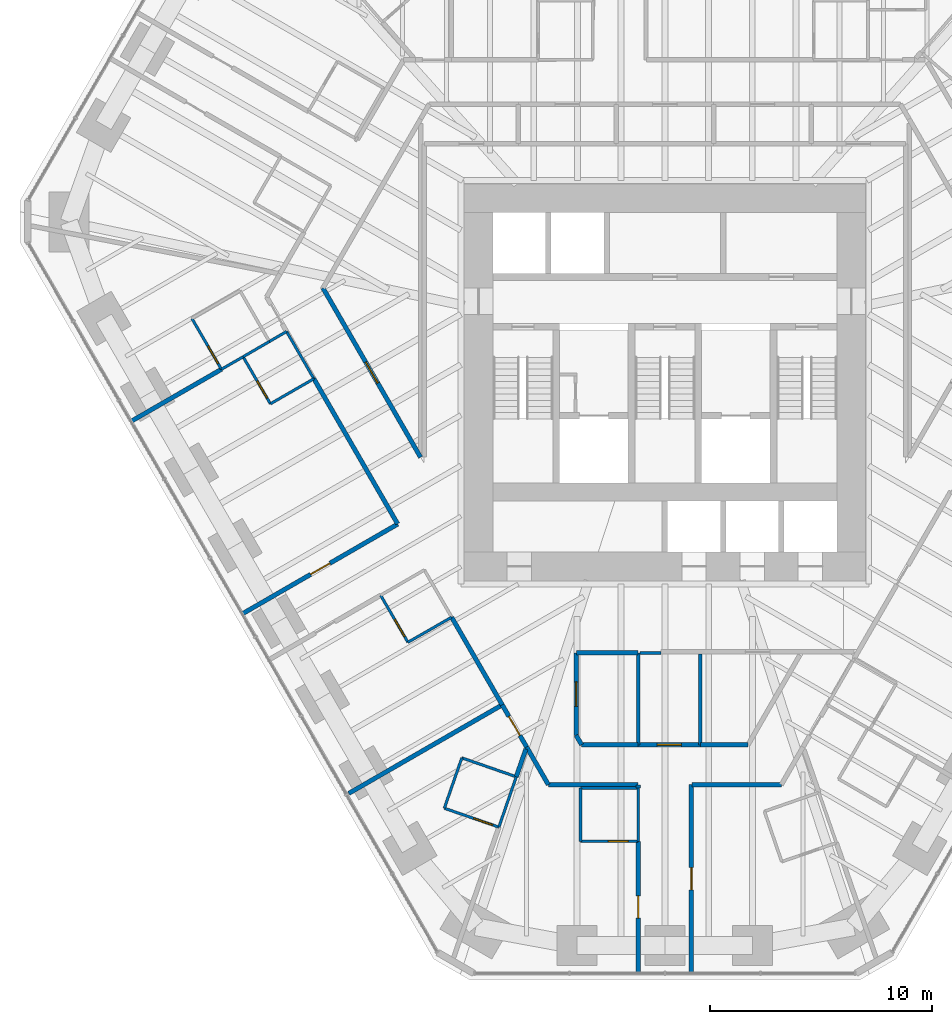
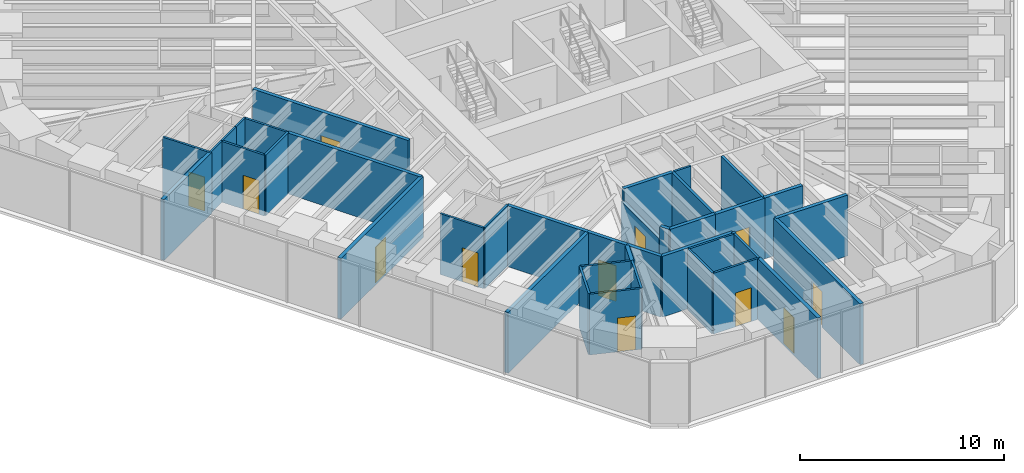
# One storey, part 11 of 17: 40 walls, 12 doors, 12 openings.
"""IFC4 building model written with IfcOpenShell, lengths in metres."""

from ifc_helpers import new_model, si_unit, direction, frame, frame_2d, origin, place, context, subcontext, project, spatial, rectangle, extrude, material, layer, layer_set, type_object, element, fill, save


model = new_model("IFC4")

# Units and contexts
model_context = context("Model", 3, precision=1e-05, world=origin(), true_north=direction((0.0, 1.0)))
body_context = subcontext(model_context, "Body", "Model", "MODEL_VIEW")
ifc_project = project(units=[si_unit("LENGTHUNIT", "METRE"), si_unit("AREAUNIT", "SQUARE_METRE"), si_unit("VOLUMEUNIT", "CUBIC_METRE"), si_unit("PLANEANGLEUNIT", "RADIAN"), si_unit("MASSUNIT", "GRAM", prefix="KILO")], contexts=[model_context])

# Site, building, storey
site_placement = place(None, origin())
site = spatial("IfcSite", under=ifc_project, at=site_placement, CompositionType="ELEMENT")
building_placement = place(site_placement, origin())
building = spatial("IfcBuilding", under=site, at=building_placement, Name="Sandreach Pilgrim Tower", CompositionType="ELEMENT")
storey_placement = place(building_placement, frame((0.0, 0.0, 108.199951171875)))
storey = spatial("IfcBuildingStorey", under=building, at=storey_placement, Name="L26", CompositionType="ELEMENT", Elevation=108.199951171875)

# Walls
ifc_material_1 = material(Name="Gypsum board on steel studs", Category="steel")
ifc_layer_1 = layer(ifc_material_1, 0.14990234375)
ifc_layer_set_1 = layer_set([ifc_layer_1], Name="Back of house wall 150")
wall_type_1 = type_object("IfcWallType", Name="Back of house wall 150", PredefinedType="PARTITIONING", material=ifc_layer_set_1)
wall_1_placement = place(storey_placement, frame((-1.199951171875, -13.75, 0.0), z_axis=(0.0, 0.0, 1.0), x_axis=(0.0, -1.0, 0.0)))
element("IfcWall", 1, at=wall_1_placement, inside=storey, type_object=wall_type_1, Name="Back of house wall L26-082", PredefinedType="PARTITIONING", context=body_context, shape_type="SweptSolid", body=[
    extrude(rectangle(XDim=4.139892578125, YDim=0.14990234375, at=frame_2d((2.06982421875, 0.0))), origin(), (0.0, 0.0, 1.0), 3.64013671875),
])
wall_2_placement = place(storey_placement, frame((1.60009765625, -13.800048828125, 0.0), z_axis=(0.0, 0.0, 1.0), x_axis=(0.0, -1.0, 0.0)))
element("IfcWall", 2, at=wall_2_placement, inside=storey, type_object=wall_type_1, Name="Back of house wall L26-088", PredefinedType="PARTITIONING", context=body_context, shape_type="SweptSolid", body=[
    extrude(rectangle(XDim=4.08984375, YDim=0.14990234375, at=frame_2d((2.044921875, 0.0))), origin(), (0.0, 0.0, 1.0), 3.64013671875),
])

# Wall, opening, door
ifc_material_2 = material(Name="Moisture-resistant gypsum board on steel studs", Category="steel")
ifc_layer_2 = layer(ifc_material_2, 0.1201171875)
ifc_layer_set_2 = layer_set([ifc_layer_2], Name="Bathroom partition 120")
wall_type_2 = type_object("IfcWallType", Name="Bathroom partition 120", PredefinedType="PARTITIONING", material=ifc_layer_set_2)
wall_3_placement = place(storey_placement, frame((-21.320068359375, 1.330078125, 0.0), z_axis=(0.0, 0.0, 1.0), x_axis=(0.502242265546, -0.864726954997, 0.0)))
wall_3 = element("IfcWall", 3, at=wall_3_placement, inside=storey, type_object=wall_type_2, Name="Bathroom partition L26-005", PredefinedType="PARTITIONING", context=body_context, shape_type="SweptSolid", body=[
    extrude(rectangle(XDim=2.648193359375, YDim=0.1201171875, at=frame_2d((1.32421875, 0.0))), origin(), (0.0, 0.0, 1.0), 3.64013671875),
])
opening_1_placement = place(wall_3_placement, frame((1.4482421875, 0.0, 0.0)))
opening_1 = element("IfcOpeningElement", 4, at=opening_1_placement, cuts=wall_3, Name="Opening D09-15B", PredefinedType="OPENING", context=body_context, shape_type="SweptSolid", body=[
    extrude(rectangle(XDim=0.89990234375, YDim=2.030029296875, at=frame_2d((0.449951171875, 1.01513671875))), frame((0.0, 0.06005859375, 0.0), z_axis=(0.0, -1.0, 0.0), x_axis=(1.0, 0.0, 0.0)), (0.0, 0.0, 1.0), 0.1201171875),
])
ifc_material_3 = material(Name="Timber door, steel frame", Category="steel")
door_type_1 = type_object("IfcDoorType", Name="Bathroom door", OperationType="SINGLE_SWING_LEFT", PredefinedType="DOOR", material=ifc_material_3)
door_1_placement = place(opening_1_placement, origin())
door_1 = element("IfcDoor", 5, at=door_1_placement, inside=storey, type_object=door_type_1, Name="Door 2615B", OperationType="SINGLE_SWING_RIGHT", OverallHeight=2.030029296875, OverallWidth=0.89990234375, PredefinedType="DOOR", context=body_context, shape_type="SweptSolid", body=[
    extrude(rectangle(XDim=0.89990234375, YDim=2.030029296875, at=frame_2d((0.449951171875, 1.01513671875))), frame((0.0, 0.02490234375, 0.0), z_axis=(0.0, -1.0, 0.0), x_axis=(1.0, 0.0, 0.0)), (0.0, 0.0, 1.0), 0.050048828125),
])
fill(opening_1, door_1)

# Walls
wall_4_placement = place(storey_placement, frame((-19.988037109375, -0.963623046875, 0.0), z_axis=(0.0, 0.0, 1.0), x_axis=(0.866387145727, 0.49937292049, 0.0)))
element("IfcWall", 6, at=wall_4_placement, inside=storey, type_object=wall_type_2, Name="Bathroom partition L26-006", PredefinedType="PARTITIONING", context=body_context, shape_type="SweptSolid", body=[
    extrude(rectangle(XDim=1.12890625, YDim=0.1201171875, at=frame_2d((0.564453125, 0.0))), origin(), (0.0, 0.0, 1.0), 3.64013671875),
])
wall_5_placement = place(storey_placement, frame((-19.010009765625, -0.39990234375, 0.0), z_axis=(0.0, 0.0, 1.0), x_axis=(0.864425960582, 0.502760140297, 0.0)))
element("IfcWall", 7, at=wall_5_placement, inside=storey, type_object=wall_type_2, Name="Bathroom partition L26-010", PredefinedType="PARTITIONING", context=body_context, shape_type="SweptSolid", body=[
    extrude(rectangle(XDim=1.366943359375, YDim=0.1201171875, at=frame_2d((0.68359375, 0.0))), origin(), (0.0, 0.0, 1.0), 3.64013671875),
])

# Wall, opening, door
wall_6_placement = place(storey_placement, frame((-19.010009765625, -0.39990234375, 0.0), z_axis=(0.0, 0.0, 1.0), x_axis=(0.501813488763, -0.864975850817, 0.0)))
wall_6 = element("IfcWall", 8, at=wall_6_placement, inside=storey, type_object=wall_type_2, Name="Bathroom partition L26-011", PredefinedType="PARTITIONING", context=body_context, shape_type="SweptSolid", body=[
    extrude(rectangle(XDim=2.451171875, YDim=0.1201171875, at=frame_2d((1.2255859375, 0.0))), origin(), (0.0, 0.0, 1.0), 3.64013671875),
])
opening_2_placement = place(wall_6_placement, frame((1.2509765625, 0.0, 0.0)))
opening_2 = element("IfcOpeningElement", 9, at=opening_2_placement, cuts=wall_6, Name="Opening D09-14B", PredefinedType="OPENING", context=body_context, shape_type="SweptSolid", body=[
    extrude(rectangle(XDim=0.89990234375, YDim=2.030029296875, at=frame_2d((0.449951171875, 1.01513671875))), frame((0.0, 0.06005859375, 0.0), z_axis=(0.0, -1.0, 0.0), x_axis=(1.0, 0.0, 0.0)), (0.0, 0.0, 1.0), 0.1201171875),
])
door_2_placement = place(opening_2_placement, origin())
door_2 = element("IfcDoor", 10, at=door_2_placement, inside=storey, type_object=door_type_1, Name="Door 2614B", OperationType="SINGLE_SWING_RIGHT", OverallHeight=2.030029296875, OverallWidth=0.89990234375, PredefinedType="DOOR", context=body_context, shape_type="SweptSolid", body=[
    extrude(rectangle(XDim=0.89990234375, YDim=2.030029296875, at=frame_2d((0.449951171875, 1.01513671875))), frame((0.0, 0.02490234375, 0.0), z_axis=(0.0, -1.0, 0.0), x_axis=(1.0, 0.0, 0.0)), (0.0, 0.0, 1.0), 0.050048828125),
])
fill(opening_2, door_2)

# Walls
wall_7_placement = place(storey_placement, frame((-17.828369140625, 0.287353515625, 0.0), z_axis=(0.0, 0.0, 1.0), x_axis=(0.864446899112, 0.502724137689, 0.0)))
element("IfcWall", 11, at=wall_7_placement, inside=storey, type_object=wall_type_2, Name="Bathroom partition L26-016", PredefinedType="PARTITIONING", context=body_context, shape_type="SweptSolid", body=[
    extrude(rectangle(XDim=0.900390625, YDim=0.1201171875, at=frame_2d((0.4501953125, 0.0))), origin(), (0.0, 0.0, 1.0), 3.64013671875),
])
wall_8_placement = place(storey_placement, frame((-17.780029296875, -2.52001953125, 0.0), z_axis=(0.0, 0.0, 1.0), x_axis=(0.866304131286, 0.49951691875, 0.0)))
element("IfcWall", 12, at=wall_8_placement, inside=storey, type_object=wall_type_2, Name="Bathroom partition L26-018", PredefinedType="PARTITIONING", context=body_context, shape_type="SweptSolid", body=[
    extrude(rectangle(XDim=2.262451171875, YDim=0.1201171875, at=frame_2d((1.13134765625, 0.0))), origin(), (0.0, 0.0, 1.0), 3.64013671875),
])
wall_9_placement = place(storey_placement, frame((-17.05029296875, 0.739990234375, 0.0), z_axis=(0.0, 0.0, 1.0), x_axis=(0.500163488538, -0.865930993055, 0.0)))
element("IfcWall", 13, at=wall_9_placement, inside=storey, type_object=wall_type_2, Name="Bathroom partition L26-022", PredefinedType="PARTITIONING", context=body_context, shape_type="SweptSolid", body=[
    extrude(rectangle(XDim=2.459716796875, YDim=0.1201171875, at=frame_2d((1.22998046875, 0.0))), origin(), (0.0, 0.0, 1.0), 3.64013671875),
])

# Wall, opening, door
wall_10_placement = place(storey_placement, frame((-12.81005859375, -11.14990234375, 0.0), z_axis=(0.0, 0.0, 1.0), x_axis=(0.501813488763, -0.864975850817, 0.0)))
wall_10 = element("IfcWall", 14, at=wall_10_placement, inside=storey, type_object=wall_type_2, Name="Bathroom partition L26-032", PredefinedType="PARTITIONING", context=body_context, shape_type="SweptSolid", body=[
    extrude(rectangle(XDim=2.451171875, YDim=0.1201171875, at=frame_2d((1.2255859375, 0.0))), origin(), (0.0, 0.0, 1.0), 3.64013671875),
])
opening_3_placement = place(wall_10_placement, frame((1.2509765625, 0.0, 0.0)))
opening_3 = element("IfcOpeningElement", 15, at=opening_3_placement, cuts=wall_10, Name="Opening D09-13B", PredefinedType="OPENING", context=body_context, shape_type="SweptSolid", body=[
    extrude(rectangle(XDim=0.89990234375, YDim=2.030029296875, at=frame_2d((0.449951171875, 1.01513671875))), frame((0.0, 0.06005859375, 0.0), z_axis=(0.0, -1.0, 0.0), x_axis=(1.0, 0.0, 0.0)), (0.0, 0.0, 1.0), 0.1201171875),
])
door_3_placement = place(opening_3_placement, origin())
door_3 = element("IfcDoor", 16, at=door_3_placement, inside=storey, type_object=door_type_1, Name="Door 2613B", OperationType="SINGLE_SWING_RIGHT", OverallHeight=2.030029296875, OverallWidth=0.89990234375, PredefinedType="DOOR", context=body_context, shape_type="SweptSolid", body=[
    extrude(rectangle(XDim=0.89990234375, YDim=2.030029296875, at=frame_2d((0.449951171875, 1.01513671875))), frame((0.0, 0.02490234375, 0.0), z_axis=(0.0, -1.0, 0.0), x_axis=(1.0, 0.0, 0.0)), (0.0, 0.0, 1.0), 0.050048828125),
])
fill(opening_3, door_3)

# Wall
wall_11_placement = place(storey_placement, frame((-11.580078125, -13.27001953125, 0.0), z_axis=(0.0, 0.0, 1.0), x_axis=(0.867428373024, 0.497562074192, 0.0)))
element("IfcWall", 17, at=wall_11_placement, inside=storey, type_object=wall_type_2, Name="Bathroom partition L26-039", PredefinedType="PARTITIONING", context=body_context, shape_type="SweptSolid", body=[
    extrude(rectangle(XDim=2.271240234375, YDim=0.1201171875, at=frame_2d((1.1357421875, 0.0))), origin(), (0.0, 0.0, 1.0), 3.64013671875),
])

# Wall, opening, door
wall_12_placement = place(storey_placement, frame((-9.93994140625, -20.75, 0.0), z_axis=(0.0, 0.0, 1.0), x_axis=(0.94515546045, -0.326620813149, 0.0)))
wall_12 = element("IfcWall", 18, at=wall_12_placement, inside=storey, type_object=wall_type_2, Name="Bathroom partition L26-048", PredefinedType="PARTITIONING", context=body_context, shape_type="SweptSolid", body=[
    extrude(rectangle(XDim=2.602783203125, YDim=0.1201171875, at=frame_2d((1.30126953125, 0.0))), origin(), (0.0, 0.0, 1.0), 3.64013671875),
])
opening_4_placement = place(wall_12_placement, frame((1.402587890625, 0.0, 0.0)))
opening_4 = element("IfcOpeningElement", 19, at=opening_4_placement, cuts=wall_12, Name="Opening D09-12B", PredefinedType="OPENING", context=body_context, shape_type="SweptSolid", body=[
    extrude(rectangle(XDim=0.89990234375, YDim=2.030029296875, at=frame_2d((0.449951171875, 1.01513671875))), frame((0.0, 0.06005859375, 0.0), z_axis=(0.0, -1.0, 0.0), x_axis=(1.0, 0.0, 0.0)), (0.0, 0.0, 1.0), 0.1201171875),
])
door_4_placement = place(opening_4_placement, origin())
door_4 = element("IfcDoor", 20, at=door_4_placement, inside=storey, type_object=door_type_1, Name="Door 2612B", OperationType="SINGLE_SWING_RIGHT", OverallHeight=2.030029296875, OverallWidth=0.89990234375, PredefinedType="DOOR", context=body_context, shape_type="SweptSolid", body=[
    extrude(rectangle(XDim=0.89990234375, YDim=2.030029296875, at=frame_2d((0.449951171875, 1.01513671875))), frame((0.0, 0.02490234375, 0.0), z_axis=(0.0, -1.0, 0.0), x_axis=(1.0, 0.0, 0.0)), (0.0, 0.0, 1.0), 0.050048828125),
])
fill(opening_4, door_4)

# Walls
wall_13_placement = place(storey_placement, frame((-9.14990234375, -18.47998046875, 0.0), z_axis=(0.0, 0.0, 1.0), x_axis=(-0.328693963496, -0.944436487203, 0.0)))
element("IfcWall", 21, at=wall_13_placement, inside=storey, type_object=wall_type_2, Name="Bathroom partition L26-053", PredefinedType="PARTITIONING", context=body_context, shape_type="SweptSolid", body=[
    extrude(rectangle(XDim=2.403564453125, YDim=0.1201171875, at=frame_2d((1.20166015625, 0.0))), origin(), (0.0, 0.0, 1.0), 3.64013671875),
])
wall_14_placement = place(storey_placement, frame((-7.47998046875, -21.60009765625, 0.0), z_axis=(0.0, 0.0, 1.0), x_axis=(0.326492166492, 0.945199907543, 0.0)))
element("IfcWall", 22, at=wall_14_placement, inside=storey, type_object=wall_type_2, Name="Bathroom partition L26-054", PredefinedType="PARTITIONING", context=body_context, shape_type="SweptSolid", body=[
    extrude(rectangle(XDim=2.400390625, YDim=0.1201171875, at=frame_2d((1.2001953125, 0.0))), origin(), (0.0, 0.0, 1.0), 3.64013671875),
])
wall_15_placement = place(storey_placement, frame((-6.699951171875, -19.330078125, 0.0), z_axis=(0.0, 0.0, 1.0), x_axis=(-0.944753042377, 0.327782990589, 0.0)))
element("IfcWall", 23, at=wall_15_placement, inside=storey, type_object=wall_type_2, Name="Bathroom partition L26-056", PredefinedType="PARTITIONING", context=body_context, shape_type="SweptSolid", body=[
    extrude(rectangle(XDim=2.593505859375, YDim=0.1201171875, at=frame_2d((1.296875, 0.0))), origin(), (0.0, 0.0, 1.0), 3.64013671875),
])

# Wall, opening, door
wall_16_placement = place(storey_placement, frame((-3.800048828125, -22.239990234375, 0.0), z_axis=(0.0, 0.0, 1.0), x_axis=(1.0, 0.0, 0.0)))
wall_16 = element("IfcWall", 24, at=wall_16_placement, inside=storey, type_object=wall_type_2, Name="Bathroom partition L26-067", PredefinedType="PARTITIONING", context=body_context, shape_type="SweptSolid", body=[
    extrude(rectangle(XDim=2.60009765625, YDim=0.1201171875, at=frame_2d((1.300048828125, 0.0))), origin(), (0.0, 0.0, 1.0), 3.64013671875),
])
opening_5_placement = place(wall_16_placement, frame((1.25, 0.0, 0.0)))
opening_5 = element("IfcOpeningElement", 25, at=opening_5_placement, cuts=wall_16, Name="Opening D09-11B", PredefinedType="OPENING", context=body_context, shape_type="SweptSolid", body=[
    extrude(rectangle(XDim=0.89990234375, YDim=2.030029296875, at=frame_2d((0.449951171875, 1.01513671875))), frame((0.0, 0.06005859375, 0.0), z_axis=(0.0, -1.0, 0.0), x_axis=(1.0, 0.0, 0.0)), (0.0, 0.0, 1.0), 0.1201171875),
])
door_5_placement = place(opening_5_placement, origin())
door_5 = element("IfcDoor", 26, at=door_5_placement, inside=storey, type_object=door_type_1, Name="Door 2611B", OperationType="SINGLE_SWING_RIGHT", OverallHeight=2.030029296875, OverallWidth=0.89990234375, PredefinedType="DOOR", context=body_context, shape_type="SweptSolid", body=[
    extrude(rectangle(XDim=0.89990234375, YDim=2.030029296875, at=frame_2d((0.449951171875, 1.01513671875))), frame((0.0, 0.02490234375, 0.0), z_axis=(0.0, -1.0, 0.0), x_axis=(1.0, 0.0, 0.0)), (0.0, 0.0, 1.0), 0.050048828125),
])
fill(opening_5, door_5)

# Walls
wall_17_placement = place(storey_placement, frame((-3.800048828125, -19.840087890625, 0.0), z_axis=(0.0, 0.0, 1.0), x_axis=(0.0, -1.0, 0.0)))
element("IfcWall", 27, at=wall_17_placement, inside=storey, type_object=wall_type_2, Name="Bathroom partition L26-068", PredefinedType="PARTITIONING", context=body_context, shape_type="SweptSolid", body=[
    extrude(rectangle(XDim=2.39990234375, YDim=0.1201171875, at=frame_2d((1.199951171875, 0.0))), origin(), (0.0, 0.0, 1.0), 3.64013671875),
])
wall_18_placement = place(storey_placement, frame((-1.199951171875, -19.840087890625, 0.0), z_axis=(0.0, 0.0, 1.0), x_axis=(-1.0, 0.0, 0.0)))
element("IfcWall", 28, at=wall_18_placement, inside=storey, type_object=wall_type_2, Name="Bathroom partition L26-078", PredefinedType="PARTITIONING", context=body_context, shape_type="SweptSolid", body=[
    extrude(rectangle(XDim=2.60009765625, YDim=0.1201171875, at=frame_2d((1.300048828125, 0.0))), origin(), (0.0, 0.0, 1.0), 3.64013671875),
])
wall_19_placement = place(storey_placement, frame((-1.199951171875, -19.840087890625, 0.0), z_axis=(0.0, 0.0, 1.0), x_axis=(0.0, -1.0, 0.0)))
element("IfcWall", 29, at=wall_19_placement, inside=storey, type_object=wall_type_2, Name="Bathroom partition L26-079", PredefinedType="PARTITIONING", context=body_context, shape_type="SweptSolid", body=[
    extrude(rectangle(XDim=2.39990234375, YDim=0.1201171875, at=frame_2d((1.199951171875, 0.0))), origin(), (0.0, 0.0, 1.0), 3.64013671875),
])
wall_20_placement = place(storey_placement, frame((-1.125, -13.75, 0.0), z_axis=(0.0, 0.0, 1.0), x_axis=(1.0, 0.0, 0.0)))
element("IfcWall", 30, at=wall_20_placement, inside=storey, type_object=wall_type_2, Name="Bathroom partition L26-083", PredefinedType="PARTITIONING", context=body_context, shape_type="SweptSolid", body=[
    extrude(rectangle(XDim=0.955078125, YDim=0.1201171875, at=frame_2d((0.4775390625, 0.0))), origin(), (0.0, 0.0, 1.0), 3.64013671875),
])

# Wall, opening, door
ifc_material_4 = material(Name="Gypsum board on steel studs, two layers each side", Category="steel")
ifc_layer_3 = layer(ifc_material_4, 0.199951171875)
ifc_layer_set_3 = layer_set([ifc_layer_3], Name="Corridor wall 200")
wall_type_3 = type_object("IfcWallType", Name="Corridor wall 200", PredefinedType="PARTITIONING", material=ifc_layer_set_3)
wall_21_placement = place(storey_placement, frame((-19.02392578125, -11.97509765625, 0.0), z_axis=(0.0, 0.0, 1.0), x_axis=(0.865863907772, 0.500279615034, 0.0)))
wall_21 = element("IfcWall", 31, at=wall_21_placement, inside=storey, type_object=wall_type_3, Name="Corridor wall L26-009", PredefinedType="PARTITIONING", context=body_context, shape_type="SweptSolid", body=[
    extrude(rectangle(XDim=8.06591796875, YDim=0.199951171875, at=frame_2d((4.032958984375, 0.0))), origin(), (0.0, 0.0, 1.0), 3.64013671875),
])
opening_6_placement = place(wall_21_placement, frame((3.532958984375, 0.0, 0.0)))
opening_6 = element("IfcOpeningElement", 32, at=opening_6_placement, cuts=wall_21, Name="Opening D10-14", PredefinedType="OPENING", context=body_context, shape_type="SweptSolid", body=[
    extrude(rectangle(XDim=1.0, YDim=2.1298828125, at=frame_2d((0.5, 1.06494140625))), frame((0.0, 0.10009765625, 0.0), z_axis=(0.0, -1.0, 0.0), x_axis=(1.0, 0.0, 0.0)), (0.0, 0.0, 1.0), 0.199951171875),
])
ifc_material_5 = material(Name="Steel door and frame", Category="steel")
door_type_2 = type_object("IfcDoorType", Name="Guest room entry door", OperationType="SINGLE_SWING_LEFT", PredefinedType="DOOR", material=ifc_material_5)
door_6_placement = place(opening_6_placement, origin())
door_6 = element("IfcDoor", 33, at=door_6_placement, inside=storey, type_object=door_type_2, Name="Door 2614", OperationType="SINGLE_SWING_LEFT", OverallHeight=2.1298828125, OverallWidth=1.0, PredefinedType="DOOR", context=body_context, shape_type="SweptSolid", body=[
    extrude(rectangle(XDim=1.0, YDim=2.1298828125, at=frame_2d((0.5, 1.06494140625))), frame((0.0, 0.02490234375, 0.0), z_axis=(0.0, -1.0, 0.0), x_axis=(1.0, 0.0, 0.0)), (0.0, 0.0, 1.0), 0.050048828125),
])
fill(opening_6, door_6)

# Wall
wall_22_placement = place(storey_placement, frame((-15.820068359375, -1.389892578125, 0.0), z_axis=(0.0, 0.0, 1.0), x_axis=(0.499851259758, -0.866111261974, 0.0)))
element("IfcWall", 34, at=wall_22_placement, inside=storey, type_object=wall_type_3, Name="Corridor wall L26-025", PredefinedType="PARTITIONING", context=body_context, shape_type="SweptSolid", body=[
    extrude(rectangle(XDim=7.547607421875, YDim=0.199951171875, at=frame_2d((3.77392578125, 0.0))), origin(), (0.0, 0.0, 1.0), 3.64013671875),
])

# Wall, opening, door
wall_23_placement = place(storey_placement, frame((-11.010009765625, -4.929931640625, 0.0), z_axis=(0.0, 0.0, 1.0), x_axis=(-0.499556067326, 0.866281556769, 0.0)))
wall_23 = element("IfcWall", 35, at=wall_23_placement, inside=storey, type_object=wall_type_3, Name="Corridor wall L26-041", PredefinedType="PARTITIONING", context=body_context, shape_type="SweptSolid", body=[
    extrude(rectangle(XDim=8.8076171875, YDim=0.199951171875, at=frame_2d((4.40380859375, 0.0))), origin(), (0.0, 0.0, 1.0), 3.64013671875),
])
opening_7_placement = place(wall_23_placement, frame((3.85400390625, 0.0, 0.0)))
opening_7 = element("IfcOpeningElement", 36, at=opening_7_placement, cuts=wall_23, Name="Opening D11H-M01", PredefinedType="OPENING", context=body_context, shape_type="SweptSolid", body=[
    extrude(rectangle(XDim=1.10009765625, YDim=2.199951171875, at=frame_2d((0.550048828125, 1.10009765625))), frame((0.0, 0.10009765625, 0.0), z_axis=(0.0, -1.0, 0.0), x_axis=(1.0, 0.0, 0.0)), (0.0, 0.0, 1.0), 0.199951171875),
])
ifc_material_6 = material(Name="Steel door and frame", Category="steel")
door_type_3 = type_object("IfcDoorType", Name="Back of house door", OperationType="SINGLE_SWING_LEFT", PredefinedType="DOOR", material=ifc_material_6)
door_7_placement = place(opening_7_placement, origin())
door_7 = element("IfcDoor", 37, at=door_7_placement, inside=storey, type_object=door_type_3, Name="Door 26M01", OperationType="SINGLE_SWING_LEFT", OverallHeight=2.199951171875, OverallWidth=1.10009765625, PredefinedType="DOOR", context=body_context, shape_type="SweptSolid", body=[
    extrude(rectangle(XDim=1.10009765625, YDim=2.199951171875, at=frame_2d((0.550048828125, 1.10009765625))), frame((0.0, 0.02490234375, 0.0), z_axis=(0.0, -1.0, 0.0), x_axis=(1.0, 0.0, 0.0)), (0.0, 0.0, 1.0), 0.050048828125),
])
fill(opening_7, door_7)

# Wall
wall_24_placement = place(storey_placement, frame((-9.610107421875, -12.139892578125, 0.0), z_axis=(0.0, 0.0, 1.0), x_axis=(0.499898533245, -0.866083977718, 0.0)))
element("IfcWall", 38, at=wall_24_placement, inside=storey, type_object=wall_type_3, Name="Corridor wall L26-051", PredefinedType="PARTITIONING", context=body_context, shape_type="SweptSolid", body=[
    extrude(rectangle(XDim=4.56103515625, YDim=0.199951171875, at=frame_2d((2.280517578125, 0.0))), origin(), (0.0, 0.0, 1.0), 3.64013671875),
])

# Wall, opening, door
wall_25_placement = place(storey_placement, frame((-7.3310546875, -16.090576171875, 0.0), z_axis=(0.0, 0.0, 1.0), x_axis=(0.501518373175, -0.865146994081, 0.0)))
wall_25 = element("IfcWall", 39, at=wall_25_placement, inside=storey, type_object=wall_type_3, Name="Corridor wall L26-055", PredefinedType="PARTITIONING", context=body_context, shape_type="SweptSolid", body=[
    extrude(rectangle(XDim=2.195556640625, YDim=0.199951171875, at=frame_2d((1.09765625, 0.0))), origin(), (0.0, 0.0, 1.0), 3.64013671875),
])
opening_8_placement = place(wall_25_placement, frame((0.59765625, 0.0, 0.0)))
opening_8 = element("IfcOpeningElement", 40, at=opening_8_placement, cuts=wall_25, Name="Opening D10-12", PredefinedType="OPENING", context=body_context, shape_type="SweptSolid", body=[
    extrude(rectangle(XDim=1.0, YDim=2.1298828125, at=frame_2d((0.5, 1.06494140625))), frame((0.0, 0.10009765625, 0.0), z_axis=(0.0, -1.0, 0.0), x_axis=(1.0, 0.0, 0.0)), (0.0, 0.0, 1.0), 0.199951171875),
])
door_8_placement = place(opening_8_placement, origin())
door_8 = element("IfcDoor", 41, at=door_8_placement, inside=storey, type_object=door_type_2, Name="Door 2612", OperationType="SINGLE_SWING_LEFT", OverallHeight=2.1298828125, OverallWidth=1.0, PredefinedType="DOOR", context=body_context, shape_type="SweptSolid", body=[
    extrude(rectangle(XDim=1.0, YDim=2.1298828125, at=frame_2d((0.5, 1.06494140625))), frame((0.0, 0.02490234375, 0.0), z_axis=(0.0, -1.0, 0.0), x_axis=(1.0, 0.0, 0.0)), (0.0, 0.0, 1.0), 0.050048828125),
])
fill(opening_8, door_8)

# Walls
wall_26_placement = place(storey_placement, frame((-6.22998046875, -17.989990234375, 0.0), z_axis=(0.0, 0.0, 1.0), x_axis=(0.499431599995, -0.866353321068, 0.0)))
element("IfcWall", 42, at=wall_26_placement, inside=storey, type_object=wall_type_3, Name="Corridor wall L26-061", PredefinedType="PARTITIONING", context=body_context, shape_type="SweptSolid", body=[
    extrude(rectangle(XDim=1.962158203125, YDim=0.199951171875, at=frame_2d((0.98095703125, 0.0))), origin(), (0.0, 0.0, 1.0), 3.64013671875),
])
wall_27_placement = place(storey_placement, frame((-5.25, -19.68994140625, 0.0), z_axis=(0.0, 0.0, 1.0), x_axis=(1.0, 0.0, 0.0)))
element("IfcWall", 43, at=wall_27_placement, inside=storey, type_object=wall_type_3, Name="Corridor wall L26-064", PredefinedType="PARTITIONING", context=body_context, shape_type="SweptSolid", body=[
    extrude(rectangle(XDim=4.050048828125, YDim=0.199951171875, at=frame_2d((2.02490234375, 0.0))), origin(), (0.0, 0.0, 1.0), 3.64013671875),
])

# Wall, opening, door
wall_28_placement = place(storey_placement, frame((-4.0, -17.4599609375, 0.0), z_axis=(0.0, 0.0, 1.0), x_axis=(0.0, 1.0, 0.0)))
wall_28 = element("IfcWall", 44, at=wall_28_placement, inside=storey, type_object=wall_type_3, Name="Corridor wall L26-065", PredefinedType="PARTITIONING", context=body_context, shape_type="SweptSolid", body=[
    extrude(rectangle(XDim=3.7099609375, YDim=0.199951171875, at=frame_2d((1.85498046875, 0.0))), origin(), (0.0, 0.0, 1.0), 2.8779296875),
])
opening_9_placement = place(wall_28_placement, frame((1.304931640625, 0.0, 0.0)))
opening_9 = element("IfcOpeningElement", 45, at=opening_9_placement, cuts=wall_28, Name="Opening D11H-S2", PredefinedType="OPENING", context=body_context, shape_type="SweptSolid", body=[
    extrude(rectangle(XDim=1.10009765625, YDim=2.199951171875, at=frame_2d((0.550048828125, 1.10009765625))), frame((0.0, 0.10009765625, 0.0), z_axis=(0.0, -1.0, 0.0), x_axis=(1.0, 0.0, 0.0)), (0.0, 0.0, 1.0), 0.199951171875),
])
door_9_placement = place(opening_9_placement, origin())
door_9 = element("IfcDoor", 46, at=door_9_placement, inside=storey, type_object=door_type_3, Name="Door 26S2", OperationType="SINGLE_SWING_LEFT", OverallHeight=2.199951171875, OverallWidth=1.10009765625, PredefinedType="DOOR", context=body_context, shape_type="SweptSolid", body=[
    extrude(rectangle(XDim=1.10009765625, YDim=2.199951171875, at=frame_2d((0.550048828125, 1.10009765625))), frame((0.0, 0.02490234375, 0.0), z_axis=(0.0, -1.0, 0.0), x_axis=(1.0, 0.0, 0.0)), (0.0, 0.0, 1.0), 0.050048828125),
])
fill(opening_9, door_9)

# Walls
wall_29_placement = place(storey_placement, frame((-3.989990234375, -13.75, 0.0), z_axis=(0.0, 0.0, 1.0), x_axis=(1.0, 0.0, 0.0)))
element("IfcWall", 47, at=wall_29_placement, inside=storey, type_object=wall_type_3, Name="Corridor wall L26-066", PredefinedType="PARTITIONING", context=body_context, shape_type="SweptSolid", body=[
    extrude(rectangle(XDim=2.7900390625, YDim=0.199951171875, at=frame_2d((1.39501953125, 0.0))), origin(), (0.0, 0.0, 1.0), 3.64013671875),
])
wall_30_placement = place(storey_placement, frame((-3.75, -17.889892578125, 0.0), z_axis=(0.0, 0.0, 1.0), x_axis=(-0.502680181512, 0.864472460588, 0.0)))
element("IfcWall", 48, at=wall_30_placement, inside=storey, type_object=wall_type_3, Name="Corridor wall L26-069", PredefinedType="PARTITIONING", context=body_context, shape_type="SweptSolid", body=[
    extrude(rectangle(XDim=0.497314453125, YDim=0.199951171875, at=frame_2d((0.24853515625, 0.0))), origin(), (0.0, 0.0, 1.0), 3.64013671875),
])

# Wall, opening, door
wall_31_placement = place(storey_placement, frame((-1.199951171875, -22.239990234375, 0.0), z_axis=(0.0, 0.0, 1.0), x_axis=(0.0, -1.0, 0.0)))
wall_31 = element("IfcWall", 49, at=wall_31_placement, inside=storey, type_object=wall_type_3, Name="Corridor wall L26-077", PredefinedType="PARTITIONING", context=body_context, shape_type="SweptSolid", body=[
    extrude(rectangle(XDim=5.919921875, YDim=0.199951171875, at=frame_2d((2.9599609375, 0.0))), origin(), (0.0, 0.0, 1.0), 3.64013671875),
])
opening_10_placement = place(wall_31_placement, frame((2.4599609375, 0.0, 0.0)))
opening_10 = element("IfcOpeningElement", 50, at=opening_10_placement, cuts=wall_31, Name="Opening D10-11", PredefinedType="OPENING", context=body_context, shape_type="SweptSolid", body=[
    extrude(rectangle(XDim=1.0, YDim=2.1298828125, at=frame_2d((0.5, 1.06494140625))), frame((0.0, 0.10009765625, 0.0), z_axis=(0.0, -1.0, 0.0), x_axis=(1.0, 0.0, 0.0)), (0.0, 0.0, 1.0), 0.199951171875),
])
door_10_placement = place(opening_10_placement, origin())
door_10 = element("IfcDoor", 51, at=door_10_placement, inside=storey, type_object=door_type_2, Name="Door 2611", OperationType="SINGLE_SWING_LEFT", OverallHeight=2.1298828125, OverallWidth=1.0, PredefinedType="DOOR", context=body_context, shape_type="SweptSolid", body=[
    extrude(rectangle(XDim=1.0, YDim=2.1298828125, at=frame_2d((0.5, 1.06494140625))), frame((0.0, 0.02490234375, 0.0), z_axis=(0.0, -1.0, 0.0), x_axis=(1.0, 0.0, 0.0)), (0.0, 0.0, 1.0), 0.050048828125),
])
fill(opening_10, door_10)

# Walls
wall_32_placement = place(storey_placement, frame((-1.199951171875, -19.699951171875, 0.0), z_axis=(0.0, 0.0, 1.0), x_axis=(0.0, -1.0, 0.0)))
element("IfcWall", 52, at=wall_32_placement, inside=storey, type_object=wall_type_3, Name="Corridor wall L26-080", PredefinedType="PARTITIONING", context=body_context, shape_type="SweptSolid", body=[
    extrude(rectangle(XDim=0.14013671875, YDim=0.199951171875, at=frame_2d((0.070068359375, 0.0))), origin(), (0.0, 0.0, 1.0), 3.64013671875),
])
wall_33_placement = place(storey_placement, frame((-1.199951171875, -17.889892578125, 0.0), z_axis=(0.0, 0.0, 1.0), x_axis=(-1.0, 0.0, 0.0)))
element("IfcWall", 53, at=wall_33_placement, inside=storey, type_object=wall_type_3, Name="Corridor wall L26-081", PredefinedType="PARTITIONING", context=body_context, shape_type="SweptSolid", body=[
    extrude(rectangle(XDim=2.550048828125, YDim=0.199951171875, at=frame_2d((1.27490234375, 0.0))), origin(), (0.0, 0.0, 1.0), 3.64013671875),
])

# Wall, opening, door
wall_34_placement = place(storey_placement, frame((1.199951171875, -28.159912109375, 0.0), z_axis=(0.0, 0.0, 1.0), x_axis=(0.0, 1.0, 0.0)))
wall_34 = element("IfcWall", 54, at=wall_34_placement, inside=storey, type_object=wall_type_3, Name="Corridor wall L26-085", PredefinedType="PARTITIONING", context=body_context, shape_type="SweptSolid", body=[
    extrude(rectangle(XDim=8.469970703125, YDim=0.199951171875, at=frame_2d((4.23486328125, 0.0))), origin(), (0.0, 0.0, 1.0), 3.64013671875),
])
opening_11_placement = place(wall_34_placement, frame((3.735107421875, 0.0, 0.0)))
opening_11 = element("IfcOpeningElement", 55, at=opening_11_placement, cuts=wall_34, Name="Opening D10-10", PredefinedType="OPENING", context=body_context, shape_type="SweptSolid", body=[
    extrude(rectangle(XDim=1.0, YDim=2.1298828125, at=frame_2d((0.5, 1.06494140625))), frame((0.0, 0.10009765625, 0.0), z_axis=(0.0, -1.0, 0.0), x_axis=(1.0, 0.0, 0.0)), (0.0, 0.0, 1.0), 0.199951171875),
])
door_11_placement = place(opening_11_placement, origin())
door_11 = element("IfcDoor", 56, at=door_11_placement, inside=storey, type_object=door_type_2, Name="Door 2610", OperationType="SINGLE_SWING_LEFT", OverallHeight=2.1298828125, OverallWidth=1.0, PredefinedType="DOOR", context=body_context, shape_type="SweptSolid", body=[
    extrude(rectangle(XDim=1.0, YDim=2.1298828125, at=frame_2d((0.5, 1.06494140625))), frame((0.0, 0.02490234375, 0.0), z_axis=(0.0, -1.0, 0.0), x_axis=(1.0, 0.0, 0.0)), (0.0, 0.0, 1.0), 0.050048828125),
])
fill(opening_11, door_11)

# Wall
wall_35_placement = place(storey_placement, frame((1.215087890625, -19.68994140625, 0.0), z_axis=(0.0, 0.0, 1.0), x_axis=(1.0, 0.0, 0.0)))
element("IfcWall", 57, at=wall_35_placement, inside=storey, type_object=wall_type_3, Name="Corridor wall L26-086", PredefinedType="PARTITIONING", context=body_context, shape_type="SweptSolid", body=[
    extrude(rectangle(XDim=4.034912109375, YDim=0.199951171875, at=frame_2d((2.017578125, 0.0))), origin(), (0.0, 0.0, 1.0), 3.64013671875),
])

# Wall, opening, door
wall_36_placement = place(storey_placement, frame((1.60009765625, -17.889892578125, 0.0), z_axis=(0.0, 0.0, 1.0), x_axis=(-1.0, 0.0, 0.0)))
wall_36 = element("IfcWall", 58, at=wall_36_placement, inside=storey, type_object=wall_type_3, Name="Corridor wall L26-087", PredefinedType="PARTITIONING", context=body_context, shape_type="SweptSolid", body=[
    extrude(rectangle(XDim=2.800048828125, YDim=0.199951171875, at=frame_2d((1.39990234375, 0.0))), origin(), (0.0, 0.0, 1.0), 3.64013671875),
])
opening_12_placement = place(wall_36_placement, frame((0.85009765625, 0.0, 0.0)))
opening_12 = element("IfcOpeningElement", 59, at=opening_12_placement, cuts=wall_36, Name="Opening D11H-S3", PredefinedType="OPENING", context=body_context, shape_type="SweptSolid", body=[
    extrude(rectangle(XDim=1.10009765625, YDim=2.199951171875, at=frame_2d((0.550048828125, 1.10009765625))), frame((0.0, 0.10009765625, 0.0), z_axis=(0.0, -1.0, 0.0), x_axis=(1.0, 0.0, 0.0)), (0.0, 0.0, 1.0), 0.199951171875),
])
door_12_placement = place(opening_12_placement, origin())
door_12 = element("IfcDoor", 60, at=door_12_placement, inside=storey, type_object=door_type_3, Name="Door 26S3", OperationType="SINGLE_SWING_LEFT", OverallHeight=2.199951171875, OverallWidth=1.10009765625, PredefinedType="DOOR", context=body_context, shape_type="SweptSolid", body=[
    extrude(rectangle(XDim=1.10009765625, YDim=2.199951171875, at=frame_2d((0.550048828125, 1.10009765625))), frame((0.0, 0.02490234375, 0.0), z_axis=(0.0, -1.0, 0.0), x_axis=(1.0, 0.0, 0.0)), (0.0, 0.0, 1.0), 0.050048828125),
])
fill(opening_12, door_12)

# Walls
wall_37_placement = place(storey_placement, frame((3.75, -17.889892578125, 0.0), z_axis=(0.0, 0.0, 1.0), x_axis=(-1.0, 0.0, 0.0)))
element("IfcWall", 61, at=wall_37_placement, inside=storey, type_object=wall_type_3, Name="Corridor wall L26-092", PredefinedType="PARTITIONING", context=body_context, shape_type="SweptSolid", body=[
    extrude(rectangle(XDim=2.14990234375, YDim=0.199951171875, at=frame_2d((1.074951171875, 0.0))), origin(), (0.0, 0.0, 1.0), 3.64013671875),
])
ifc_material_7 = material(Name="Double steel stud acoustic wall, gypsum board", Category="steel")
ifc_layer_4 = layer(ifc_material_7, 0.199951171875)
ifc_layer_set_4 = layer_set([ifc_layer_4], Name="Party wall 200")
wall_type_4 = type_object("IfcWallType", Name="Party wall 200", PredefinedType="PARTITIONING", material=ifc_layer_set_4)
wall_38_placement = place(storey_placement, frame((-24.033935546875, -3.294921875, 0.0), z_axis=(0.0, 0.0, 1.0), x_axis=(0.866451815884, 0.499260704193, 0.0)))
element("IfcWall", 62, at=wall_38_placement, inside=storey, type_object=wall_type_4, Name="Party wall L26-003", PredefinedType="PARTITIONING", context=body_context, shape_type="SweptSolid", body=[
    extrude(rectangle(XDim=4.66943359375, YDim=0.199951171875, at=frame_2d((2.334716796875, 0.0))), origin(), (0.0, 0.0, 1.0), 3.64013671875),
])
wall_39_placement = place(storey_placement, frame((-14.24609375, -20.080078125, 0.0), z_axis=(0.0, 0.0, 1.0), x_axis=(0.866178955952, 0.49973394548, 0.0)))
element("IfcWall", 63, at=wall_39_placement, inside=storey, type_object=wall_type_4, Name="Party wall L26-029", PredefinedType="PARTITIONING", context=body_context, shape_type="SweptSolid", body=[
    extrude(rectangle(XDim=7.969482421875, YDim=0.199951171875, at=frame_2d((3.98486328125, 0.0))), origin(), (0.0, 0.0, 1.0), 3.64013671875),
])
wall_40_placement = place(storey_placement, frame((-6.6962890625, -19.331298828125, 0.0), z_axis=(0.0, 0.0, 1.0), x_axis=(0.328298231075, 0.944574121746, 0.0)))
element("IfcWall", 64, at=wall_40_placement, inside=storey, type_object=wall_type_4, Name="Party wall L26-057", PredefinedType="PARTITIONING", context=body_context, shape_type="SweptSolid", body=[
    extrude(rectangle(XDim=1.320068359375, YDim=0.199951171875, at=frame_2d((0.66015625, 0.0))), origin(), (0.0, 0.0, 1.0), 3.64013671875),
])

save(model, "model.ifc")
